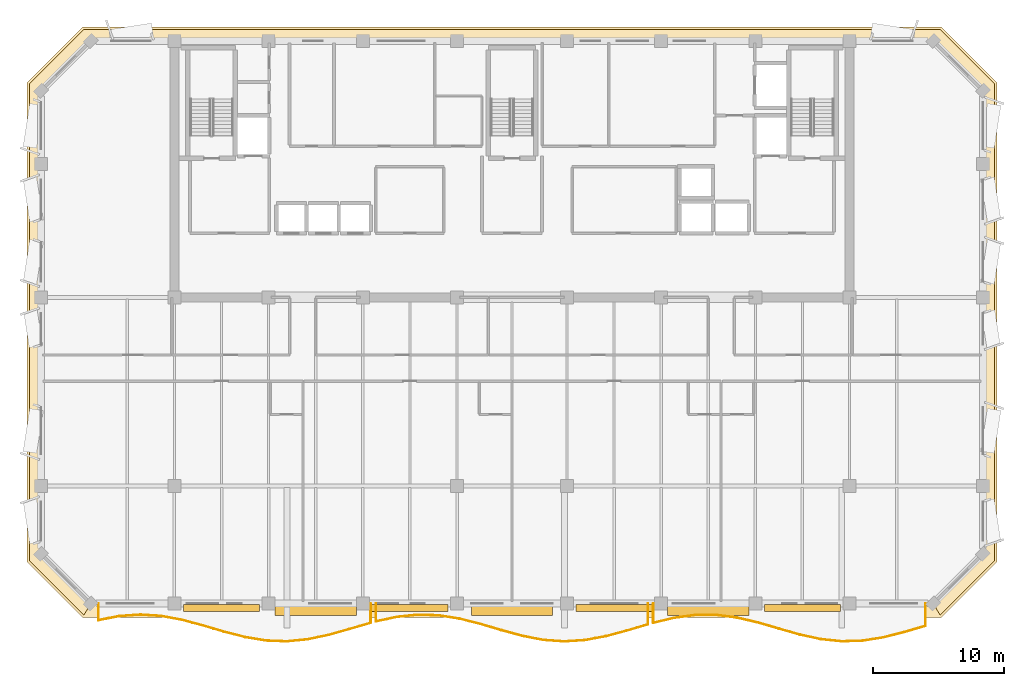
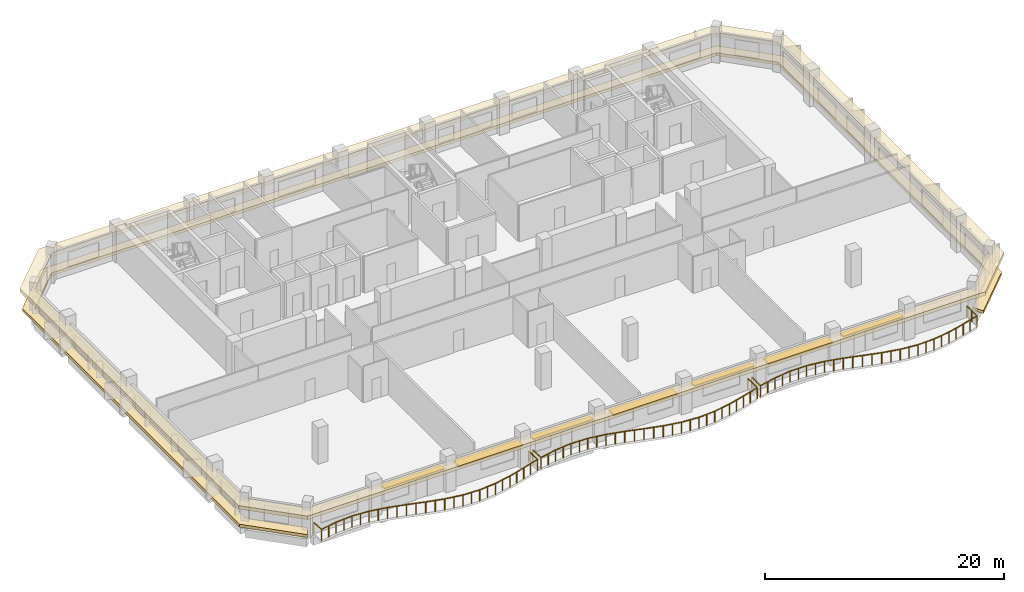
# One storey, part 9 of 11: 7 shading devices, 3 railings, 2 coverings.
"""IFC4 building model written with IfcOpenShell, lengths in metres."""

from ifc_helpers import new_model, si_unit, direction, frame, origin, origin_2d, place, context, subcontext, project, spatial, polyline, rectangle, outline, extrude, material, layer, layer_set, type_object, element, save


model = new_model("IFC4")

# Units and contexts
model_context = context("Model", 3, precision=1e-05, world=origin(), true_north=direction((0.0, 1.0)))
body_context = subcontext(model_context, "Body", "Model", "MODEL_VIEW")
ifc_project = project(units=[si_unit("LENGTHUNIT", "METRE"), si_unit("AREAUNIT", "SQUARE_METRE"), si_unit("VOLUMEUNIT", "CUBIC_METRE"), si_unit("PLANEANGLEUNIT", "RADIAN"), si_unit("MASSUNIT", "GRAM", prefix="KILO")], contexts=[model_context])

# Site, building, storey
site_placement = place(None, origin())
site = spatial("IfcSite", under=ifc_project, at=site_placement, CompositionType="ELEMENT")
building_placement = place(site_placement, origin())
building = spatial("IfcBuilding", under=site, at=building_placement, Name="Kaelvorn Grand Hotel", CompositionType="ELEMENT")
storey_placement = place(building_placement, frame((0.0, 0.0, 272.60009765625)))
storey = spatial("IfcBuildingStorey", under=building, at=storey_placement, Name="L67", CompositionType="ELEMENT", Elevation=272.60009765625)

# Coverings
ifc_material_1 = material(Name="Precast concrete C45/55", Category="concrete")
ifc_layer_1 = layer(ifc_material_1, 0.260009765625)
ifc_layer_set_1 = layer_set([ifc_layer_1], Name="Precast concrete C45/55")
covering_type_1 = type_object("IfcCoveringType", Name="COV-BAND-STREAMLINE-HEAD", PredefinedType="CLADDING", material=ifc_layer_set_1)
covering_1_placement = place(storey_placement, frame((0.0, 0.0, 2.419921875)))
element("IfcCovering", 1, at=covering_1_placement, inside=storey, type_object=covering_type_1, Name="L67 Streamline Moderne Wraparound Horizontal Eyebrow Band", PredefinedType="CLADDING", context=body_context, shape_type="SweptSolid", body=[
    extrude(outline(polyline([(9.18994140625, 4.949951171875), (74.81005859375, 4.949951171875), (79.050048828125, 9.18994140625), (79.050048828125, 45.81005859375), (74.81005859375, 50.050048828125), (9.18994140625, 50.050048828125), (4.949951171875, 45.81005859375), (4.949951171875, 9.18994140625), (9.18994140625, 4.949951171875)]), holes=[polyline([(9.820068359375, 6.030029296875), (74.179931640625, 6.030029296875), (77.969970703125, 9.820068359375), (77.969970703125, 45.179931640625), (74.179931640625, 48.969970703125), (9.820068359375, 48.969970703125), (6.030029296875, 45.179931640625), (6.030029296875, 9.820068359375), (9.820068359375, 6.030029296875)])]), origin(), (0.0, 0.0, 1.0), 0.35986328125),
])
ifc_layer_2 = layer(ifc_material_1, 0.219970703125)
ifc_layer_set_2 = layer_set([ifc_layer_2], Name="Precast concrete C45/55")
covering_type_2 = type_object("IfcCoveringType", Name="COV-BAND-STREAMLINE-SILL", PredefinedType="CLADDING", material=ifc_layer_set_2)
covering_2_placement = place(storey_placement, frame((0.0, 0.0, 0.449951171875)))
element("IfcCovering", 2, at=covering_2_placement, inside=storey, type_object=covering_type_2, Name="L67 Streamline Moderne Wraparound Horizontal Sill Spandrel Band", PredefinedType="CLADDING", context=body_context, shape_type="SweptSolid", body=[
    extrude(outline(polyline([(74.715576171875, 5.1201171875), (78.8798828125, 9.284423828125), (78.8798828125, 45.715576171875), (74.715576171875, 49.8798828125), (9.284423828125, 49.8798828125), (5.1201171875, 45.715576171875), (5.1201171875, 9.284423828125), (9.284423828125, 5.1201171875), (9.817626953125, 6.030029296875), (6.030029296875, 9.817626953125), (6.030029296875, 45.182373046875), (9.817626953125, 48.969970703125), (74.182373046875, 48.969970703125), (77.969970703125, 45.182373046875), (77.969970703125, 9.817626953125), (74.182373046875, 6.030029296875), (74.715576171875, 5.1201171875)])), origin(), (0.0, 0.0, 1.0), 0.300048828125),
])

# Railings
ifc_material_2 = material(Name="Stainless Steel", Category="steel")
railing_type = type_object("IfcRailingType", Name="RL-BALC-1150", PredefinedType="BALUSTRADE", material=ifc_material_2)
railing_1_placement = place(storey_placement, frame((10.39990234375, 6.0, 0.0)))
element("IfcRailing", 3, at=railing_1_placement, inside=storey, type_object=railing_type, Name="L67 Scalloped Wave Balcony Balustrade GR1-1", PredefinedType="BALUSTRADE", context=body_context, shape_type="SweptSolid", body=[
    extrude(rectangle(XDim=0.048095703125, YDim=0.048095703125, at=origin_2d()), frame((0.0, 0.0, 1.1259765625), z_axis=(0.0, -1.0, 0.0), x_axis=(1.0, 0.0, 0.0)), (0.0, 0.0, 1.0), 1.2724609375),
    extrude(rectangle(XDim=0.048095703125, YDim=0.048095703125, at=origin_2d()), frame((0.0, -1.2724609375, 1.1259765625), z_axis=(0.981961535476, 0.189080783914, 0.0), x_axis=(-0.189080783914, 0.981961535476, 0.0)), (0.0, 0.0, 1.0), 1.62939453125),
    extrude(rectangle(XDim=0.048095703125, YDim=0.048095703125, at=origin_2d()), frame((1.60009765625, -0.96435546875, 1.1259765625), z_axis=(0.997460244683, 0.071225418754, 0.0), x_axis=(-0.071225418754, 0.997460244683, 0.0)), (0.0, 0.0, 1.0), 1.604248046875),
    extrude(rectangle(XDim=0.048095703125, YDim=0.048095703125, at=origin_2d()), frame((3.2001953125, -0.85009765625, 1.1259765625), z_axis=(0.997903474777, -0.064719819438, 0.0), x_axis=(0.064719819438, 0.997903474777, 0.0)), (0.0, 0.0, 1.0), 1.603271484375),
    extrude(rectangle(XDim=0.048095703125, YDim=0.048095703125, at=origin_2d()), frame((4.800048828125, -0.953857421875, 1.1259765625), z_axis=(0.982923083623, -0.184016878792, 0.0), x_axis=(0.184016878792, 0.982923083623, 0.0)), (0.0, 0.0, 1.0), 1.6279296875),
    extrude(rectangle(XDim=0.048095703125, YDim=0.048095703125, at=origin_2d()), frame((6.400146484375, -1.25341796875, 1.1259765625), z_axis=(0.965440575101, -0.260623283588, 0.0), x_axis=(0.260623283588, 0.965440575101, 0.0)), (0.0, 0.0, 1.0), 1.6572265625),
    extrude(rectangle(XDim=0.048095703125, YDim=0.048095703125, at=origin_2d()), frame((8.0, -1.685302734375, 1.1259765625), z_axis=(0.959113452177, -0.283021882287, 0.0), x_axis=(0.283021882287, 0.959113452177, 0.0)), (0.0, 0.0, 1.0), 1.668212890625),
    extrude(rectangle(XDim=0.048095703125, YDim=0.048095703125, at=origin_2d()), frame((9.60009765625, -2.157470703125, 1.1259765625), z_axis=(0.968397147337, -0.249413241487, 0.0), x_axis=(0.249413241487, 0.968397147337, 0.0)), (0.0, 0.0, 1.0), 1.65234375),
    extrude(rectangle(XDim=0.048095703125, YDim=0.048095703125, at=origin_2d()), frame((11.2001953125, -2.569580078125, 1.1259765625), z_axis=(0.986616814557, -0.163056006434, 0.0), x_axis=(0.163056006434, 0.986616814557, 0.0)), (0.0, 0.0, 1.0), 1.62158203125),
    extrude(rectangle(XDim=0.048095703125, YDim=0.048095703125, at=origin_2d()), frame((12.800048828125, -2.833984375, 1.1259765625), z_axis=(0.999290604033, -0.037660173817, 0.0), x_axis=(0.037660173817, 0.999290604033, 0.0)), (0.0, 0.0, 1.0), 1.601318359375),
    extrude(rectangle(XDim=0.048095703125, YDim=0.048095703125, at=origin_2d()), frame((14.400146484375, -2.894287109375, 1.1259765625), z_axis=(0.995249900455, 0.097353149121, 0.0), x_axis=(-0.097353149121, 0.995249900455, 0.0)), (0.0, 0.0, 1.0), 1.607421875),
    extrude(rectangle(XDim=0.048095703125, YDim=0.048095703125, at=origin_2d()), frame((16.0, -2.73779296875, 1.1259765625), z_axis=(0.97815050545, 0.207898024732, 0.0), x_axis=(-0.207898024732, 0.97815050545, 0.0)), (0.0, 0.0, 1.0), 1.6357421875),
    extrude(rectangle(XDim=0.048095703125, YDim=0.048095703125, at=origin_2d()), frame((17.60009765625, -2.397705078125, 1.1259765625), z_axis=(0.962471316232, 0.271383428806, 0.0), x_axis=(-0.271383428806, 0.962471316232, 0.0)), (0.0, 0.0, 1.0), 1.66259765625),
    extrude(rectangle(XDim=0.048095703125, YDim=0.048095703125, at=origin_2d()), frame((19.2001953125, -1.946533203125, 1.1259765625), z_axis=(0.960011484756, 0.279960620688, 0.0), x_axis=(-0.279960620688, 0.960011484756, 0.0)), (0.0, 0.0, 1.0), 1.66650390625),
    extrude(rectangle(XDim=0.048095703125, YDim=0.048095703125, at=origin_2d()), frame((20.800048828125, -1.47998046875, 1.1259765625), z_axis=(0.0, 1.0, 0.0), x_axis=(-1.0, 0.0, 0.0)), (0.0, 0.0, 1.0), 1.47998046875),
    extrude(rectangle(XDim=0.0419921875, YDim=0.0419921875, at=origin_2d()), origin(), (0.0, 0.0, 1.0), 1.101806640625),
    extrude(rectangle(XDim=0.0419921875, YDim=0.0419921875, at=origin_2d()), frame((0.0, -1.2724609375, 0.0)), (0.0, 0.0, 1.0), 1.101806640625),
    extrude(rectangle(XDim=0.0419921875, YDim=0.0419921875, at=origin_2d()), frame((0.800048828125, -1.118408203125, 0.0)), (0.0, 0.0, 1.0), 1.101806640625),
    extrude(rectangle(XDim=0.0419921875, YDim=0.0419921875, at=origin_2d()), frame((1.60009765625, -0.96435546875, 0.0)), (0.0, 0.0, 1.0), 1.101806640625),
    extrude(rectangle(XDim=0.0419921875, YDim=0.0419921875, at=origin_2d()), frame((2.400146484375, -0.9072265625, 0.0)), (0.0, 0.0, 1.0), 1.101806640625),
    extrude(rectangle(XDim=0.0419921875, YDim=0.0419921875, at=origin_2d()), frame((3.2001953125, -0.85009765625, 0.0)), (0.0, 0.0, 1.0), 1.101806640625),
    extrude(rectangle(XDim=0.0419921875, YDim=0.0419921875, at=origin_2d()), frame((4.0, -0.90185546875, 0.0)), (0.0, 0.0, 1.0), 1.101806640625),
    extrude(rectangle(XDim=0.0419921875, YDim=0.0419921875, at=origin_2d()), frame((4.800048828125, -0.953857421875, 0.0)), (0.0, 0.0, 1.0), 1.101806640625),
    extrude(rectangle(XDim=0.0419921875, YDim=0.0419921875, at=origin_2d()), frame((5.60009765625, -1.103515625, 0.0)), (0.0, 0.0, 1.0), 1.101806640625),
    extrude(rectangle(XDim=0.0419921875, YDim=0.0419921875, at=origin_2d()), frame((6.400146484375, -1.25341796875, 0.0)), (0.0, 0.0, 1.0), 1.101806640625),
    extrude(rectangle(XDim=0.0419921875, YDim=0.0419921875, at=origin_2d()), frame((7.2001953125, -1.46923828125, 0.0)), (0.0, 0.0, 1.0), 1.101806640625),
    extrude(rectangle(XDim=0.0419921875, YDim=0.0419921875, at=origin_2d()), frame((8.0, -1.685302734375, 0.0)), (0.0, 0.0, 1.0), 1.101806640625),
    extrude(rectangle(XDim=0.0419921875, YDim=0.0419921875, at=origin_2d()), frame((8.800048828125, -1.92138671875, 0.0)), (0.0, 0.0, 1.0), 1.101806640625),
    extrude(rectangle(XDim=0.0419921875, YDim=0.0419921875, at=origin_2d()), frame((9.60009765625, -2.157470703125, 0.0)), (0.0, 0.0, 1.0), 1.101806640625),
    extrude(rectangle(XDim=0.0419921875, YDim=0.0419921875, at=origin_2d()), frame((10.400146484375, -2.363525390625, 0.0)), (0.0, 0.0, 1.0), 1.101806640625),
    extrude(rectangle(XDim=0.0419921875, YDim=0.0419921875, at=origin_2d()), frame((11.2001953125, -2.569580078125, 0.0)), (0.0, 0.0, 1.0), 1.101806640625),
    extrude(rectangle(XDim=0.0419921875, YDim=0.0419921875, at=origin_2d()), frame((12.0, -2.70166015625, 0.0)), (0.0, 0.0, 1.0), 1.101806640625),
    extrude(rectangle(XDim=0.0419921875, YDim=0.0419921875, at=origin_2d()), frame((12.800048828125, -2.833984375, 0.0)), (0.0, 0.0, 1.0), 1.101806640625),
    extrude(rectangle(XDim=0.0419921875, YDim=0.0419921875, at=origin_2d()), frame((13.60009765625, -2.8642578125, 0.0)), (0.0, 0.0, 1.0), 1.101806640625),
    extrude(rectangle(XDim=0.0419921875, YDim=0.0419921875, at=origin_2d()), frame((14.400146484375, -2.894287109375, 0.0)), (0.0, 0.0, 1.0), 1.101806640625),
    extrude(rectangle(XDim=0.0419921875, YDim=0.0419921875, at=origin_2d()), frame((15.2001953125, -2.81591796875, 0.0)), (0.0, 0.0, 1.0), 1.101806640625),
    extrude(rectangle(XDim=0.0419921875, YDim=0.0419921875, at=origin_2d()), frame((16.0, -2.73779296875, 0.0)), (0.0, 0.0, 1.0), 1.101806640625),
    extrude(rectangle(XDim=0.0419921875, YDim=0.0419921875, at=origin_2d()), frame((16.800048828125, -2.56787109375, 0.0)), (0.0, 0.0, 1.0), 1.101806640625),
    extrude(rectangle(XDim=0.0419921875, YDim=0.0419921875, at=origin_2d()), frame((17.60009765625, -2.397705078125, 0.0)), (0.0, 0.0, 1.0), 1.101806640625),
    extrude(rectangle(XDim=0.0419921875, YDim=0.0419921875, at=origin_2d()), frame((18.400146484375, -2.172119140625, 0.0)), (0.0, 0.0, 1.0), 1.101806640625),
    extrude(rectangle(XDim=0.0419921875, YDim=0.0419921875, at=origin_2d()), frame((19.2001953125, -1.946533203125, 0.0)), (0.0, 0.0, 1.0), 1.101806640625),
    extrude(rectangle(XDim=0.0419921875, YDim=0.0419921875, at=origin_2d()), frame((20.0, -1.71337890625, 0.0)), (0.0, 0.0, 1.0), 1.101806640625),
    extrude(rectangle(XDim=0.0419921875, YDim=0.0419921875, at=origin_2d()), frame((20.800048828125, -1.47998046875, 0.0)), (0.0, 0.0, 1.0), 1.101806640625),
    extrude(rectangle(XDim=0.0419921875, YDim=0.0419921875, at=origin_2d()), frame((20.800048828125, 0.0, 0.0)), (0.0, 0.0, 1.0), 1.101806640625),
])
railing_2_placement = place(storey_placement, frame((31.60009765625, 6.0, 0.0)))
element("IfcRailing", 4, at=railing_2_placement, inside=storey, type_object=railing_type, Name="L67 Scalloped Wave Balcony Balustrade GR1-2", PredefinedType="BALUSTRADE", context=body_context, shape_type="SweptSolid", body=[
    extrude(rectangle(XDim=0.048095703125, YDim=0.048095703125, at=origin_2d()), frame((0.0, 0.0, 1.1259765625), z_axis=(0.0, -1.0, 0.0), x_axis=(1.0, 0.0, 0.0)), (0.0, 0.0, 1.0), 1.372802734375),
    extrude(rectangle(XDim=0.048095703125, YDim=0.048095703125, at=origin_2d()), frame((0.0, -1.372802734375, 1.1259765625), z_axis=(0.977193856825, 0.212349161013, 0.0), x_axis=(-0.212349161013, 0.977193856825, 0.0)), (0.0, 0.0, 1.0), 1.63720703125),
    extrude(rectangle(XDim=0.048095703125, YDim=0.048095703125, at=origin_2d()), frame((1.599853515625, -1.025146484375, 1.1259765625), z_axis=(0.994613846753, 0.103649871427, 0.0), x_axis=(-0.103649871427, 0.994613846753, 0.0)), (0.0, 0.0, 1.0), 1.608642578125),
    extrude(rectangle(XDim=0.048095703125, YDim=0.048095703125, at=origin_2d()), frame((3.199951171875, -0.8583984375, 1.1259765625), z_axis=(0.999525230254, -0.030810941021, 0.0), x_axis=(0.030810941021, 0.999525230254, 0.0)), (0.0, 0.0, 1.0), 1.6005859375),
    extrude(rectangle(XDim=0.048095703125, YDim=0.048095703125, at=origin_2d()), frame((4.7998046875, -0.90771484375, 1.1259765625), z_axis=(0.987502610882, -0.157602644337, 0.0), x_axis=(0.157602644337, 0.987502610882, 0.0)), (0.0, 0.0, 1.0), 1.620361328125),
    extrude(rectangle(XDim=0.048095703125, YDim=0.048095703125, at=origin_2d()), frame((6.39990234375, -1.1630859375, 1.1259765625), z_axis=(0.969213406092, -0.246222203409, 0.0), x_axis=(0.246222203409, 0.969213406092, 0.0)), (0.0, 0.0, 1.0), 1.65087890625),
    extrude(rectangle(XDim=0.048095703125, YDim=0.048095703125, at=origin_2d()), frame((8.0, -1.569580078125, 1.1259765625), z_axis=(0.959181165875, -0.282792310769, 0.0), x_axis=(0.282792310769, 0.959181165875, 0.0)), (0.0, 0.0, 1.0), 1.66796875),
    extrude(rectangle(XDim=0.048095703125, YDim=0.048095703125, at=origin_2d()), frame((9.599853515625, -2.041259765625, 1.1259765625), z_axis=(0.964780804406, -0.263055126255, 0.0), x_axis=(0.263055126255, 0.964780804406, 0.0)), (0.0, 0.0, 1.0), 1.658447265625),
    extrude(rectangle(XDim=0.048095703125, YDim=0.048095703125, at=origin_2d()), frame((11.199951171875, -2.4775390625, 1.1259765625), z_axis=(0.981956177773, -0.189108606188, 0.0), x_axis=(0.189108606188, 0.981956177773, 0.0)), (0.0, 0.0, 1.0), 1.629150390625),
    extrude(rectangle(XDim=0.048095703125, YDim=0.048095703125, at=origin_2d()), frame((12.7998046875, -2.78564453125, 1.1259765625), z_axis=(0.997460244683, -0.071225418754, 0.0), x_axis=(0.071225418754, 0.997460244683, 0.0)), (0.0, 0.0, 1.0), 1.604248046875),
    extrude(rectangle(XDim=0.048095703125, YDim=0.048095703125, at=origin_2d()), frame((14.39990234375, -2.89990234375, 1.1259765625), z_axis=(0.997904112488, 0.064709985933, 0.0), x_axis=(-0.064709985933, 0.997904112488, 0.0)), (0.0, 0.0, 1.0), 1.603515625),
    extrude(rectangle(XDim=0.048095703125, YDim=0.048095703125, at=origin_2d()), frame((16.0, -2.796142578125, 1.1259765625), z_axis=(0.982918004082, 0.184044009005, 0.0), x_axis=(-0.184044009005, 0.982918004082, 0.0)), (0.0, 0.0, 1.0), 1.627685546875),
    extrude(rectangle(XDim=0.048095703125, YDim=0.048095703125, at=origin_2d()), frame((17.599853515625, -2.49658203125, 1.1259765625), z_axis=(0.965450580149, 0.260586218536, 0.0), x_axis=(-0.260586218536, 0.965450580149, 0.0)), (0.0, 0.0, 1.0), 1.657470703125),
    extrude(rectangle(XDim=0.048095703125, YDim=0.048095703125, at=origin_2d()), frame((19.199951171875, -2.064697265625, 1.1259765625), z_axis=(0.959101727658, 0.283061611673, 0.0), x_axis=(-0.283061611673, 0.959101727658, 0.0)), (0.0, 0.0, 1.0), 1.66796875),
    extrude(rectangle(XDim=0.048095703125, YDim=0.048095703125, at=origin_2d()), frame((20.7998046875, -1.592529296875, 1.1259765625), z_axis=(0.0, 1.0, 0.0), x_axis=(-1.0, 0.0, 0.0)), (0.0, 0.0, 1.0), 1.592529296875),
    extrude(rectangle(XDim=0.0419921875, YDim=0.0419921875, at=origin_2d()), origin(), (0.0, 0.0, 1.0), 1.101806640625),
    extrude(rectangle(XDim=0.0419921875, YDim=0.0419921875, at=origin_2d()), frame((0.0, -1.372802734375, 0.0)), (0.0, 0.0, 1.0), 1.101806640625),
    extrude(rectangle(XDim=0.0419921875, YDim=0.0419921875, at=origin_2d()), frame((0.7998046875, -1.198974609375, 0.0)), (0.0, 0.0, 1.0), 1.101806640625),
    extrude(rectangle(XDim=0.0419921875, YDim=0.0419921875, at=origin_2d()), frame((1.599853515625, -1.025146484375, 0.0)), (0.0, 0.0, 1.0), 1.101806640625),
    extrude(rectangle(XDim=0.0419921875, YDim=0.0419921875, at=origin_2d()), frame((2.39990234375, -0.94189453125, 0.0)), (0.0, 0.0, 1.0), 1.101806640625),
    extrude(rectangle(XDim=0.0419921875, YDim=0.0419921875, at=origin_2d()), frame((3.199951171875, -0.8583984375, 0.0)), (0.0, 0.0, 1.0), 1.101806640625),
    extrude(rectangle(XDim=0.0419921875, YDim=0.0419921875, at=origin_2d()), frame((4.0, -0.883056640625, 0.0)), (0.0, 0.0, 1.0), 1.101806640625),
    extrude(rectangle(XDim=0.0419921875, YDim=0.0419921875, at=origin_2d()), frame((4.7998046875, -0.90771484375, 0.0)), (0.0, 0.0, 1.0), 1.101806640625),
    extrude(rectangle(XDim=0.0419921875, YDim=0.0419921875, at=origin_2d()), frame((5.599853515625, -1.035400390625, 0.0)), (0.0, 0.0, 1.0), 1.101806640625),
    extrude(rectangle(XDim=0.0419921875, YDim=0.0419921875, at=origin_2d()), frame((6.39990234375, -1.1630859375, 0.0)), (0.0, 0.0, 1.0), 1.101806640625),
    extrude(rectangle(XDim=0.0419921875, YDim=0.0419921875, at=origin_2d()), frame((7.199951171875, -1.3662109375, 0.0)), (0.0, 0.0, 1.0), 1.101806640625),
    extrude(rectangle(XDim=0.0419921875, YDim=0.0419921875, at=origin_2d()), frame((8.0, -1.569580078125, 0.0)), (0.0, 0.0, 1.0), 1.101806640625),
    extrude(rectangle(XDim=0.0419921875, YDim=0.0419921875, at=origin_2d()), frame((8.7998046875, -1.805419921875, 0.0)), (0.0, 0.0, 1.0), 1.101806640625),
    extrude(rectangle(XDim=0.0419921875, YDim=0.0419921875, at=origin_2d()), frame((9.599853515625, -2.041259765625, 0.0)), (0.0, 0.0, 1.0), 1.101806640625),
    extrude(rectangle(XDim=0.0419921875, YDim=0.0419921875, at=origin_2d()), frame((10.39990234375, -2.25927734375, 0.0)), (0.0, 0.0, 1.0), 1.101806640625),
    extrude(rectangle(XDim=0.0419921875, YDim=0.0419921875, at=origin_2d()), frame((11.199951171875, -2.4775390625, 0.0)), (0.0, 0.0, 1.0), 1.101806640625),
    extrude(rectangle(XDim=0.0419921875, YDim=0.0419921875, at=origin_2d()), frame((12.0, -2.631591796875, 0.0)), (0.0, 0.0, 1.0), 1.101806640625),
    extrude(rectangle(XDim=0.0419921875, YDim=0.0419921875, at=origin_2d()), frame((12.7998046875, -2.78564453125, 0.0)), (0.0, 0.0, 1.0), 1.101806640625),
    extrude(rectangle(XDim=0.0419921875, YDim=0.0419921875, at=origin_2d()), frame((13.599853515625, -2.8427734375, 0.0)), (0.0, 0.0, 1.0), 1.101806640625),
    extrude(rectangle(XDim=0.0419921875, YDim=0.0419921875, at=origin_2d()), frame((14.39990234375, -2.89990234375, 0.0)), (0.0, 0.0, 1.0), 1.101806640625),
    extrude(rectangle(XDim=0.0419921875, YDim=0.0419921875, at=origin_2d()), frame((15.199951171875, -2.84814453125, 0.0)), (0.0, 0.0, 1.0), 1.101806640625),
    extrude(rectangle(XDim=0.0419921875, YDim=0.0419921875, at=origin_2d()), frame((16.0, -2.796142578125, 0.0)), (0.0, 0.0, 1.0), 1.101806640625),
    extrude(rectangle(XDim=0.0419921875, YDim=0.0419921875, at=origin_2d()), frame((16.7998046875, -2.646484375, 0.0)), (0.0, 0.0, 1.0), 1.101806640625),
    extrude(rectangle(XDim=0.0419921875, YDim=0.0419921875, at=origin_2d()), frame((17.599853515625, -2.49658203125, 0.0)), (0.0, 0.0, 1.0), 1.101806640625),
    extrude(rectangle(XDim=0.0419921875, YDim=0.0419921875, at=origin_2d()), frame((18.39990234375, -2.28076171875, 0.0)), (0.0, 0.0, 1.0), 1.101806640625),
    extrude(rectangle(XDim=0.0419921875, YDim=0.0419921875, at=origin_2d()), frame((19.199951171875, -2.064697265625, 0.0)), (0.0, 0.0, 1.0), 1.101806640625),
    extrude(rectangle(XDim=0.0419921875, YDim=0.0419921875, at=origin_2d()), frame((20.0, -1.82861328125, 0.0)), (0.0, 0.0, 1.0), 1.101806640625),
    extrude(rectangle(XDim=0.0419921875, YDim=0.0419921875, at=origin_2d()), frame((20.7998046875, -1.592529296875, 0.0)), (0.0, 0.0, 1.0), 1.101806640625),
    extrude(rectangle(XDim=0.0419921875, YDim=0.0419921875, at=origin_2d()), frame((20.7998046875, 0.0, 0.0)), (0.0, 0.0, 1.0), 1.101806640625),
])
railing_3_placement = place(storey_placement, frame((52.800048828125, 6.0, 0.0)))
element("IfcRailing", 5, at=railing_3_placement, inside=storey, type_object=railing_type, Name="L67 Scalloped Wave Balcony Balustrade GR1-3", PredefinedType="BALUSTRADE", context=body_context, shape_type="SweptSolid", body=[
    extrude(rectangle(XDim=0.048095703125, YDim=0.048095703125, at=origin_2d()), frame((0.0, 0.0, 1.1259765625), z_axis=(0.0, -1.0, 0.0), x_axis=(1.0, 0.0, 0.0)), (0.0, 0.0, 1.0), 1.47998046875),
    extrude(rectangle(XDim=0.048095703125, YDim=0.048095703125, at=origin_2d()), frame((0.0, -1.47998046875, 1.1259765625), z_axis=(0.972579621463, 0.232570161275, 0.0), x_axis=(-0.232570161275, 0.972579621463, 0.0)), (0.0, 0.0, 1.0), 1.64501953125),
    extrude(rectangle(XDim=0.048095703125, YDim=0.048095703125, at=origin_2d()), frame((1.599853515625, -1.097412109375, 1.1259765625), z_axis=(0.990925604237, 0.134411483394, 0.0), x_axis=(-0.134411483394, 0.990925604237, 0.0)), (0.0, 0.0, 1.0), 1.61474609375),
    extrude(rectangle(XDim=0.048095703125, YDim=0.048095703125, at=origin_2d()), frame((3.199951171875, -0.88037109375, 1.1259765625), z_axis=(0.999994366234, 0.003356709804, 0.0), x_axis=(-0.003356709804, 0.999994366234, 0.0)), (0.0, 0.0, 1.0), 1.60009765625),
    extrude(rectangle(XDim=0.048095703125, YDim=0.048095703125, at=origin_2d()), frame((4.800048828125, -0.875, 1.1259765625), z_axis=(0.99171143647, -0.128485122778, 0.0), x_axis=(0.128485122778, 0.99171143647, 0.0)), (0.0, 0.0, 1.0), 1.61328125),
    extrude(rectangle(XDim=0.048095703125, YDim=0.048095703125, at=origin_2d()), frame((6.39990234375, -1.082275390625, 1.1259765625), z_axis=(0.973520315758, -0.228600513572, 0.0), x_axis=(0.228600513572, 0.973520315758, 0.0)), (0.0, 0.0, 1.0), 1.6435546875),
    extrude(rectangle(XDim=0.048095703125, YDim=0.048095703125, at=origin_2d()), frame((8.0, -1.4580078125, 1.1259765625), z_axis=(0.96032597197, -0.278879951878, 0.0), x_axis=(0.278879951878, 0.96032597197, 0.0)), (0.0, 0.0, 1.0), 1.666015625),
    extrude(rectangle(XDim=0.048095703125, YDim=0.048095703125, at=origin_2d()), frame((9.599853515625, -1.922607421875, 1.1259765625), z_axis=(0.961932726831, -0.273286349918, 0.0), x_axis=(0.273286349918, 0.961932726831, 0.0)), (0.0, 0.0, 1.0), 1.663330078125),
    extrude(rectangle(XDim=0.048095703125, YDim=0.048095703125, at=origin_2d()), frame((11.199951171875, -2.377197265625, 1.1259765625), z_axis=(0.977200579572, -0.212318221744, 0.0), x_axis=(0.212318221744, 0.977200579572, 0.0)), (0.0, 0.0, 1.0), 1.637451171875),
    extrude(rectangle(XDim=0.048095703125, YDim=0.048095703125, at=origin_2d()), frame((12.800048828125, -2.724853515625, 1.1259765625), z_axis=(0.994612216016, -0.103665518623, 0.0), x_axis=(0.103665518623, 0.994612216016, 0.0)), (0.0, 0.0, 1.0), 1.6083984375),
    extrude(rectangle(XDim=0.048095703125, YDim=0.048095703125, at=origin_2d()), frame((14.39990234375, -2.8916015625, 1.1259765625), z_axis=(0.999525375019, 0.030806244393, 0.0), x_axis=(-0.030806244393, 0.999525375019, 0.0)), (0.0, 0.0, 1.0), 1.600830078125),
    extrude(rectangle(XDim=0.048095703125, YDim=0.048095703125, at=origin_2d()), frame((16.0, -2.84228515625, 1.1259765625), z_axis=(0.987498867572, 0.157626097281, 0.0), x_axis=(-0.157626097281, 0.987498867572, 0.0)), (0.0, 0.0, 1.0), 1.6201171875),
    extrude(rectangle(XDim=0.048095703125, YDim=0.048095703125, at=origin_2d()), frame((17.599853515625, -2.5869140625, 1.1259765625), z_axis=(0.969213406092, 0.246222203409, 0.0), x_axis=(-0.246222203409, 0.969213406092, 0.0)), (0.0, 0.0, 1.0), 1.65087890625),
    extrude(rectangle(XDim=0.048095703125, YDim=0.048095703125, at=origin_2d()), frame((19.199951171875, -2.180419921875, 1.1259765625), z_axis=(0.959192869064, 0.282752612608, 0.0), x_axis=(-0.282752612608, 0.959192869064, 0.0)), (0.0, 0.0, 1.0), 1.668212890625),
    extrude(rectangle(XDim=0.048095703125, YDim=0.048095703125, at=origin_2d()), frame((20.800048828125, -1.708740234375, 1.1259765625), z_axis=(0.0, 1.0, 0.0), x_axis=(-1.0, 0.0, 0.0)), (0.0, 0.0, 1.0), 1.708740234375),
    extrude(rectangle(XDim=0.0419921875, YDim=0.0419921875, at=origin_2d()), origin(), (0.0, 0.0, 1.0), 1.101806640625),
    extrude(rectangle(XDim=0.0419921875, YDim=0.0419921875, at=origin_2d()), frame((0.0, -1.47998046875, 0.0)), (0.0, 0.0, 1.0), 1.101806640625),
    extrude(rectangle(XDim=0.0419921875, YDim=0.0419921875, at=origin_2d()), frame((0.7998046875, -1.28857421875, 0.0)), (0.0, 0.0, 1.0), 1.101806640625),
    extrude(rectangle(XDim=0.0419921875, YDim=0.0419921875, at=origin_2d()), frame((1.599853515625, -1.097412109375, 0.0)), (0.0, 0.0, 1.0), 1.101806640625),
    extrude(rectangle(XDim=0.0419921875, YDim=0.0419921875, at=origin_2d()), frame((2.39990234375, -0.98876953125, 0.0)), (0.0, 0.0, 1.0), 1.101806640625),
    extrude(rectangle(XDim=0.0419921875, YDim=0.0419921875, at=origin_2d()), frame((3.199951171875, -0.88037109375, 0.0)), (0.0, 0.0, 1.0), 1.101806640625),
    extrude(rectangle(XDim=0.0419921875, YDim=0.0419921875, at=origin_2d()), frame((4.0, -0.877685546875, 0.0)), (0.0, 0.0, 1.0), 1.101806640625),
    extrude(rectangle(XDim=0.0419921875, YDim=0.0419921875, at=origin_2d()), frame((4.800048828125, -0.875, 0.0)), (0.0, 0.0, 1.0), 1.101806640625),
    extrude(rectangle(XDim=0.0419921875, YDim=0.0419921875, at=origin_2d()), frame((5.60009765625, -0.978515625, 0.0)), (0.0, 0.0, 1.0), 1.101806640625),
    extrude(rectangle(XDim=0.0419921875, YDim=0.0419921875, at=origin_2d()), frame((6.39990234375, -1.082275390625, 0.0)), (0.0, 0.0, 1.0), 1.101806640625),
    extrude(rectangle(XDim=0.0419921875, YDim=0.0419921875, at=origin_2d()), frame((7.199951171875, -1.27001953125, 0.0)), (0.0, 0.0, 1.0), 1.101806640625),
    extrude(rectangle(XDim=0.0419921875, YDim=0.0419921875, at=origin_2d()), frame((8.0, -1.4580078125, 0.0)), (0.0, 0.0, 1.0), 1.101806640625),
    extrude(rectangle(XDim=0.0419921875, YDim=0.0419921875, at=origin_2d()), frame((8.7998046875, -1.6904296875, 0.0)), (0.0, 0.0, 1.0), 1.101806640625),
    extrude(rectangle(XDim=0.0419921875, YDim=0.0419921875, at=origin_2d()), frame((9.599853515625, -1.922607421875, 0.0)), (0.0, 0.0, 1.0), 1.101806640625),
    extrude(rectangle(XDim=0.0419921875, YDim=0.0419921875, at=origin_2d()), frame((10.39990234375, -2.14990234375, 0.0)), (0.0, 0.0, 1.0), 1.101806640625),
    extrude(rectangle(XDim=0.0419921875, YDim=0.0419921875, at=origin_2d()), frame((11.199951171875, -2.377197265625, 0.0)), (0.0, 0.0, 1.0), 1.101806640625),
    extrude(rectangle(XDim=0.0419921875, YDim=0.0419921875, at=origin_2d()), frame((12.0, -2.551025390625, 0.0)), (0.0, 0.0, 1.0), 1.101806640625),
    extrude(rectangle(XDim=0.0419921875, YDim=0.0419921875, at=origin_2d()), frame((12.800048828125, -2.724853515625, 0.0)), (0.0, 0.0, 1.0), 1.101806640625),
    extrude(rectangle(XDim=0.0419921875, YDim=0.0419921875, at=origin_2d()), frame((13.60009765625, -2.80810546875, 0.0)), (0.0, 0.0, 1.0), 1.101806640625),
    extrude(rectangle(XDim=0.0419921875, YDim=0.0419921875, at=origin_2d()), frame((14.39990234375, -2.8916015625, 0.0)), (0.0, 0.0, 1.0), 1.101806640625),
    extrude(rectangle(XDim=0.0419921875, YDim=0.0419921875, at=origin_2d()), frame((15.199951171875, -2.866943359375, 0.0)), (0.0, 0.0, 1.0), 1.101806640625),
    extrude(rectangle(XDim=0.0419921875, YDim=0.0419921875, at=origin_2d()), frame((16.0, -2.84228515625, 0.0)), (0.0, 0.0, 1.0), 1.101806640625),
    extrude(rectangle(XDim=0.0419921875, YDim=0.0419921875, at=origin_2d()), frame((16.7998046875, -2.714599609375, 0.0)), (0.0, 0.0, 1.0), 1.101806640625),
    extrude(rectangle(XDim=0.0419921875, YDim=0.0419921875, at=origin_2d()), frame((17.599853515625, -2.5869140625, 0.0)), (0.0, 0.0, 1.0), 1.101806640625),
    extrude(rectangle(XDim=0.0419921875, YDim=0.0419921875, at=origin_2d()), frame((18.39990234375, -2.3837890625, 0.0)), (0.0, 0.0, 1.0), 1.101806640625),
    extrude(rectangle(XDim=0.0419921875, YDim=0.0419921875, at=origin_2d()), frame((19.199951171875, -2.180419921875, 0.0)), (0.0, 0.0, 1.0), 1.101806640625),
    extrude(rectangle(XDim=0.0419921875, YDim=0.0419921875, at=origin_2d()), frame((20.0, -1.944580078125, 0.0)), (0.0, 0.0, 1.0), 1.101806640625),
    extrude(rectangle(XDim=0.0419921875, YDim=0.0419921875, at=origin_2d()), frame((20.800048828125, -1.708740234375, 0.0)), (0.0, 0.0, 1.0), 1.101806640625),
    extrude(rectangle(XDim=0.0419921875, YDim=0.0419921875, at=origin_2d()), frame((20.800048828125, -0.8544921875, 0.0)), (0.0, 0.0, 1.0), 1.101806640625),
    extrude(rectangle(XDim=0.0419921875, YDim=0.0419921875, at=origin_2d()), frame((20.800048828125, 0.0, 0.0)), (0.0, 0.0, 1.0), 1.101806640625),
])

# Shading devices
ifc_layer_3 = layer(ifc_material_1, 0.1201171875)
ifc_layer_set_3 = layer_set([ifc_layer_3], Name="Precast concrete C45/55")
shading_device_type_1 = type_object("IfcShadingDeviceType", Name="SHD-SUNSHADE-550", PredefinedType="USERDEFINED", material=ifc_layer_set_3)
for number, where, z_axis, x_axis, name in (
    (6, (19.800048828125, 5.655029296875, 2.559814453125), (0.0, 0.0, 1.0), (1.0, 0.0, 0.0), "L67 Horizontal Concrete Sunshade Band SS-03"),
    (7, (34.199951171875, 5.655029296875, 2.559814453125), (0.0, 0.0, 1.0), (1.0, 0.0, 0.0), "L67 Horizontal Concrete Sunshade Band SS-05"),
    (8, (49.800048828125, 5.655029296875, 2.559814453125), (0.0, 0.0, 1.0), (1.0, 0.0, 0.0), "L67 Horizontal Concrete Sunshade Band SS-07"),
    (9, (64.199951171875, 5.655029296875, 2.559814453125), (0.0, 0.0, 1.0), (1.0, 0.0, 0.0), "L67 Horizontal Concrete Sunshade Band SS-09"),
):
    element("IfcShadingDevice", number, at=place(storey_placement, frame(where, z_axis=z_axis, x_axis=x_axis)), inside=storey, type_object=shading_device_type_1, Name=name, ObjectType="SUNSHADE", PredefinedType="USERDEFINED", context=body_context, shape_type="SweptSolid", body=[
        extrude(rectangle(XDim=5.800048828125, YDim=0.550048828125, at=origin_2d()), origin(), (0.0, 0.0, 1.0), 0.1201171875),
    ])
ifc_layer_4 = layer(ifc_material_1, 0.139892578125)
ifc_layer_set_4 = layer_set([ifc_layer_4], Name="Precast concrete C45/55")
shading_device_type_2 = type_object("IfcShadingDeviceType", Name="SHD-SUNSHADE-850", PredefinedType="USERDEFINED", material=ifc_layer_set_4)
for number, where, z_axis, x_axis, name in (
    (10, (27.0, 5.5048828125, 2.5498046875), (0.0, 0.0, 1.0), (1.0, 0.0, 0.0), "L67 Horizontal Concrete Sunshade Band SS-04"),
    (11, (42.0, 5.5048828125, 2.5498046875), (0.0, 0.0, 1.0), (1.0, 0.0, 0.0), "L67 Horizontal Concrete Sunshade Band SS-06"),
    (12, (57.0, 5.5048828125, 2.5498046875), (0.0, 0.0, 1.0), (1.0, 0.0, 0.0), "L67 Horizontal Concrete Sunshade Band SS-08"),
):
    element("IfcShadingDevice", number, at=place(storey_placement, frame(where, z_axis=z_axis, x_axis=x_axis)), inside=storey, type_object=shading_device_type_2, Name=name, ObjectType="SUNSHADE", PredefinedType="USERDEFINED", context=body_context, shape_type="SweptSolid", body=[
        extrude(rectangle(XDim=6.199951171875, YDim=0.85009765625, at=origin_2d()), origin(), (0.0, 0.0, 1.0), 0.139892578125),
    ])

save(model, "model.ifc")
